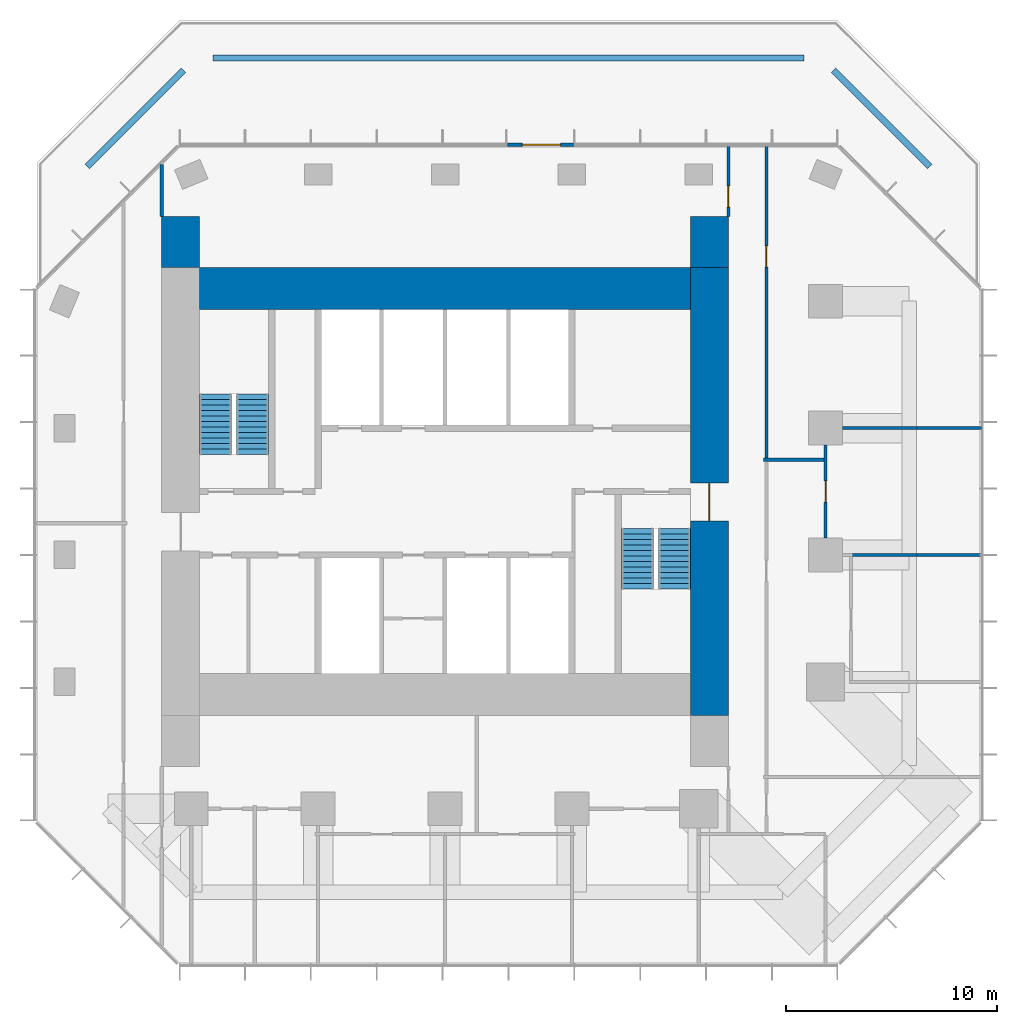
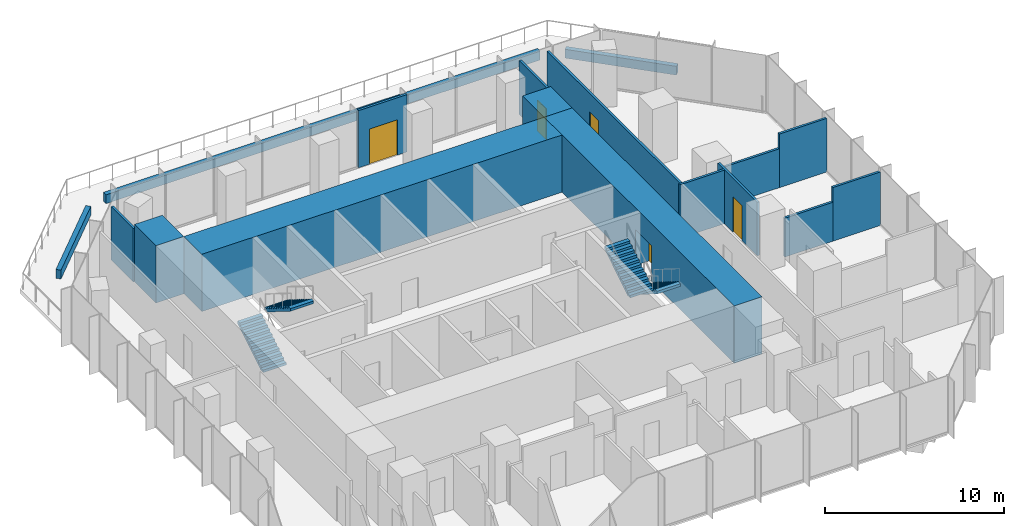
# One storey, part 10 of 11: 17 walls, 5 doors, 4 stair flights, 5 openings, 2 elements without a shape of their own.
"""IFC4 building model written with IfcOpenShell, lengths in metres."""

from ifc_helpers import new_model, si_unit, direction, frame, frame_2d, origin, place, context, subcontext, project, spatial, polyline, rectangle, outline, extrude, material, layer, layer_set, type_object, element, fill, aggregate, save


model = new_model("IFC4")

# Units and contexts
model_context = context("Model", 3, precision=1e-05, world=origin(), true_north=direction((0.0, 1.0)))
body_context = subcontext(model_context, "Body", "Model", "MODEL_VIEW")
ifc_project = project(units=[si_unit("LENGTHUNIT", "METRE"), si_unit("AREAUNIT", "SQUARE_METRE"), si_unit("VOLUMEUNIT", "CUBIC_METRE"), si_unit("PLANEANGLEUNIT", "RADIAN"), si_unit("MASSUNIT", "GRAM", prefix="KILO")], contexts=[model_context])

# Site, building, storey
site_placement = place(None, origin())
site = spatial("IfcSite", under=ifc_project, at=site_placement, CompositionType="ELEMENT")
building_placement = place(site_placement, origin())
building = spatial("IfcBuilding", under=site, at=building_placement, Name="Highveld Stack Headquarters", CompositionType="ELEMENT")
storey_placement = place(building_placement, frame((0.0, 0.0, 268.39990234375)))
storey = spatial("IfcBuildingStorey", under=building, at=storey_placement, Name="L66", CompositionType="ELEMENT", Elevation=268.39990234375)

# Wall, opening, door
ifc_material_1 = material(Name="Concrete C60/75", Category="concrete")
ifc_layer_1 = layer(ifc_material_1, 1.800048828125)
ifc_layer_set_1 = layer_set([ifc_layer_1], Name="Concrete C60/75")
wall_type_1 = type_object("IfcWallType", Name="CORE WALL 1800 C60/75", PredefinedType="SHEAR", material=ifc_layer_set_1)
wall_1_placement = place(storey_placement, frame((18.5, -7.60009765625, 0.0), z_axis=(0.0, 0.0, 1.0), x_axis=(0.0, 1.0, 0.0)))
wall_1 = element("IfcWall", 1, at=wall_1_placement, inside=storey, type_object=wall_type_1, Name="Core wall E L66", PredefinedType="SHEAR", context=body_context, shape_type="SweptSolid", body=[
    extrude(rectangle(XDim=21.2001953125, YDim=1.800048828125, at=frame_2d((10.60009765625, 0.0))), origin(), (0.0, 0.0, 1.0), 3.900146484375),
])
opening_1_placement = place(wall_1_placement, frame((9.199951171875, 0.0, 0.0)))
opening_1 = element("IfcOpeningElement", 2, at=opening_1_placement, cuts=wall_1, Name="Opening L66-03", PredefinedType="OPENING", context=body_context, shape_type="SweptSolid", body=[
    extrude(rectangle(XDim=1.800048828125, YDim=2.39990234375, at=frame_2d((0.89990234375, 1.199951171875))), frame((0.0, 0.909912109375, 0.0), z_axis=(0.0, -1.0, 0.0), x_axis=(1.0, 0.0, 0.0)), (0.0, 0.0, 1.0), 1.820068359375),
])
ifc_material_2 = material(Name="Steel fire door", Category="steel")
door_type_1 = type_object("IfcDoorType", Name="LOBBY FIRE DOOR D4 1800x2400", OperationType="DOUBLE_DOOR_SINGLE_SWING", PredefinedType="DOOR", material=ifc_material_2)
door_1_placement = place(opening_1_placement, origin())
door_1 = element("IfcDoor", 3, at=door_1_placement, inside=storey, type_object=door_type_1, Name="Core east door L66", OperationType="DOUBLE_DOOR_SINGLE_SWING", OverallHeight=2.39990234375, OverallWidth=1.800048828125, PredefinedType="DOOR", context=body_context, shape_type="SweptSolid", body=[
    extrude(rectangle(XDim=1.800048828125, YDim=2.39990234375, at=frame_2d((0.89990234375, 1.199951171875))), frame((0.0, 0.02490234375, 0.0), z_axis=(0.0, -1.0, 0.0), x_axis=(1.0, 0.0, 0.0)), (0.0, 0.0, 1.0), 0.050048828125),
])
fill(opening_1, door_1)

# Walls
ifc_material_3 = material(Name="Concrete C60/75", Category="concrete")
ifc_layer_2 = layer(ifc_material_3, 2.0)
ifc_layer_set_2 = layer_set([ifc_layer_2], Name="Concrete C60/75")
wall_type_2 = type_object("IfcWallType", Name="CORE WALL 2000 C60/75", PredefinedType="SHEAR", material=ifc_layer_set_2)
wall_2_placement = place(storey_placement, frame((-5.60009765625, 12.60009765625, 0.0), z_axis=(0.0, 0.0, 1.0), x_axis=(1.0, 0.0, 0.0)))
element("IfcWall", 4, at=wall_2_placement, inside=storey, type_object=wall_type_2, Name="Core wall N L66", PredefinedType="SHEAR", context=body_context, shape_type="SweptSolid", body=[
    extrude(rectangle(XDim=23.2001953125, YDim=2.0, at=frame_2d((11.60009765625, 0.0))), origin(), (0.0, 0.0, 1.0), 3.900146484375),
])
ifc_material_4 = material(Name="Concrete C60/75", Category="concrete")
ifc_layer_3 = layer(ifc_material_4, 1.800048828125)
ifc_layer_set_3 = layer_set([ifc_layer_3], Name="Concrete C60/75")
wall_type_3 = type_object("IfcWallType", Name="CORE WING WALL 1800 C60/75", PredefinedType="SHEAR", material=ifc_layer_set_3)
for number, where, z_axis, x_axis, name in (
    (5, (-6.5, 13.60009765625, 0.0), (0.0, 0.0, 1.0), (0.0, 1.0, 0.0), "Core wing wall WN L66"),
    (6, (18.5, 13.60009765625, 0.0), (0.0, 0.0, 1.0), (0.0, 1.0, 0.0), "Core wing wall EN L66"),
):
    element("IfcWall", number, at=place(storey_placement, frame(where, z_axis=z_axis, x_axis=x_axis)), inside=storey, type_object=wall_type_3, Name=name, PredefinedType="SHEAR", context=body_context, shape_type="SweptSolid", body=[
        extrude(rectangle(XDim=2.39990234375, YDim=1.800048828125, at=frame_2d((1.199951171875, 0.0))), origin(), (0.0, 0.0, 1.0), 3.900146484375),
    ])

# Wall, opening, door
ifc_material_5 = material(Name="Aluminium framed glazed screen", Category="aluminium")
ifc_layer_4 = layer(ifc_material_5, 0.14990234375)
ifc_layer_set_4 = layer_set([ifc_layer_4], Name="Aluminium framed glazed screen")
wall_type_4 = type_object("IfcWallType", Name="GLAZED DOOR SCREEN 150", PredefinedType="USERDEFINED", material=ifc_layer_set_4)
wall_3_placement = place(storey_placement, frame((12.08349609375, 19.39990234375, 0.0), z_axis=(0.0, 0.0, 1.0), x_axis=(-1.0, 0.0, 0.0)))
wall_3 = element("IfcWall", 7, at=wall_3_placement, inside=storey, type_object=wall_type_4, Name="Glazed door screen L66 N", ObjectType="GLAZED SCREEN", PredefinedType="USERDEFINED", context=body_context, shape_type="SweptSolid", body=[
    extrude(rectangle(XDim=3.1259765625, YDim=0.14990234375, at=frame_2d((1.56298828125, 0.0))), origin(), (0.0, 0.0, 1.0), 3.900146484375),
])
opening_2_placement = place(wall_3_placement, frame((0.62548828125, 0.0, 0.0)))
opening_2 = element("IfcOpeningElement", 8, at=opening_2_placement, cuts=wall_3, Name="Opening L66-01", PredefinedType="OPENING", context=body_context, shape_type="SweptSolid", body=[
    extrude(rectangle(XDim=1.800048828125, YDim=2.39990234375, at=frame_2d((0.89990234375, 1.199951171875))), frame((0.0, 0.0849609375, 0.0), z_axis=(0.0, -1.0, 0.0), x_axis=(1.0, 0.0, 0.0)), (0.0, 0.0, 1.0), 0.169921875),
])
ifc_material_6 = material(Name="Aluminium framed glass door", Category="aluminium")
door_type_2 = type_object("IfcDoorType", Name="TERRACE DOOR D8 1800x2400", OperationType="DOUBLE_DOOR_SINGLE_SWING", PredefinedType="DOOR", material=ifc_material_6)
door_2_placement = place(opening_2_placement, origin())
door_2 = element("IfcDoor", 9, at=door_2_placement, inside=storey, type_object=door_type_2, Name="Terrace door L66 N", OperationType="DOUBLE_DOOR_SINGLE_SWING", OverallHeight=2.39990234375, OverallWidth=1.800048828125, PredefinedType="DOOR", context=body_context, shape_type="SweptSolid", body=[
    extrude(rectangle(XDim=1.800048828125, YDim=2.39990234375, at=frame_2d((0.89990234375, 1.199951171875))), frame((0.0, 0.02490234375, 0.0), z_axis=(0.0, -1.0, 0.0), x_axis=(1.0, 0.0, 0.0)), (0.0, 0.0, 1.0), 0.050048828125),
])
fill(opening_2, door_2)

# Walls
ifc_material_7 = material(Name="Gypsum plasterboard on steel studs", Category="steel")
ifc_layer_5 = layer(ifc_material_7, 0.14990234375)
ifc_layer_set_5 = layer_set([ifc_layer_5], Name="Gypsum plasterboard on steel studs")
wall_type_5 = type_object("IfcWallType", Name="PARTITION 150 PLASTERBOARD", PredefinedType="PARTITIONING", material=ifc_layer_set_5)
wall_4_placement = place(storey_placement, frame((25.199951171875, 0.0, 0.0), z_axis=(0.0, 0.0, 1.0), x_axis=(1.0, 0.0, 0.0)))
element("IfcWall", 10, at=wall_4_placement, inside=storey, type_object=wall_type_5, Name="Partition Assistants office / Executive office L66", PredefinedType="PARTITIONING", context=body_context, shape_type="SweptSolid", body=[
    extrude(rectangle(XDim=3.110107421875, YDim=0.14990234375, at=frame_2d((1.55517578125, 0.0))), origin(), (0.0, 0.0, 1.0), 2.650146484375),
])
wall_5_placement = place(storey_placement, frame((28.31005859375, 0.0, 0.0), z_axis=(0.0, 0.0, 1.0), x_axis=(1.0, 0.0, 0.0)))
element("IfcWall", 11, at=wall_5_placement, inside=storey, type_object=wall_type_5, Name="Partition Assistants office / Executive office L66", PredefinedType="PARTITIONING", context=body_context, shape_type="SweptSolid", body=[
    extrude(rectangle(XDim=3.0400390625, YDim=0.14990234375, at=frame_2d((1.52001953125, 0.0))), origin(), (0.0, 0.0, 1.0), 3.650146484375),
])
wall_6_placement = place(storey_placement, frame((24.800048828125, 6.0, 0.0), z_axis=(0.0, 0.0, 1.0), x_axis=(1.0, 0.0, 0.0)))
element("IfcWall", 12, at=wall_6_placement, inside=storey, type_object=wall_type_5, Name="Partition Executive office L66", PredefinedType="PARTITIONING", context=body_context, shape_type="SweptSolid", body=[
    extrude(rectangle(XDim=3.510009765625, YDim=0.14990234375, at=frame_2d((1.7548828125, 0.0))), origin(), (0.0, 0.0, 1.0), 2.650146484375),
])
wall_7_placement = place(storey_placement, frame((28.31005859375, 6.0, 0.0), z_axis=(0.0, 0.0, 1.0), x_axis=(1.0, 0.0, 0.0)))
element("IfcWall", 13, at=wall_7_placement, inside=storey, type_object=wall_type_5, Name="Partition Executive office L66", PredefinedType="PARTITIONING", context=body_context, shape_type="SweptSolid", body=[
    extrude(rectangle(XDim=3.06494140625, YDim=0.14990234375, at=frame_2d((1.532470703125, 0.0))), origin(), (0.0, 0.0, 1.0), 3.650146484375),
])

# Wall, opening, door
wall_8_placement = place(storey_placement, frame((24.0, 0.800048828125, 0.0), z_axis=(0.0, 0.0, 1.0), x_axis=(0.0, 1.0, 0.0)))
wall_8 = element("IfcWall", 14, at=wall_8_placement, inside=storey, type_object=wall_type_5, Name="Partition Executive office L66", PredefinedType="PARTITIONING", context=body_context, shape_type="SweptSolid", body=[
    extrude(rectangle(XDim=4.39990234375, YDim=0.14990234375, at=frame_2d((2.199951171875, 0.0))), origin(), (0.0, 0.0, 1.0), 3.650146484375),
])
opening_3_placement = place(wall_8_placement, frame((1.699951171875, 0.0, 0.0)))
opening_3 = element("IfcOpeningElement", 15, at=opening_3_placement, cuts=wall_8, Name="Opening L66-20", PredefinedType="OPENING", context=body_context, shape_type="SweptSolid", body=[
    extrude(rectangle(XDim=1.0, YDim=2.39990234375, at=frame_2d((0.5, 1.199951171875))), frame((0.0, 0.0849609375, 0.0), z_axis=(0.0, -1.0, 0.0), x_axis=(1.0, 0.0, 0.0)), (0.0, 0.0, 1.0), 0.169921875),
])
ifc_material_8 = material(Name="Timber door, oiled ash", Category="wood")
door_type_3 = type_object("IfcDoorType", Name="ROOM DOOR D11 1000x2400", OperationType="SINGLE_SWING_LEFT", PredefinedType="DOOR", material=ifc_material_8)
door_3_placement = place(opening_3_placement, origin())
door_3 = element("IfcDoor", 16, at=door_3_placement, inside=storey, type_object=door_type_3, Name="Executive office door 1 L66", OperationType="SINGLE_SWING_LEFT", OverallHeight=2.39990234375, OverallWidth=1.0, PredefinedType="DOOR", context=body_context, shape_type="SweptSolid", body=[
    extrude(rectangle(XDim=1.0, YDim=2.39990234375, at=frame_2d((0.5, 1.199951171875))), frame((0.0, 0.02490234375, 0.0), z_axis=(0.0, -1.0, 0.0), x_axis=(1.0, 0.0, 0.0)), (0.0, 0.0, 1.0), 0.050048828125),
])
fill(opening_3, door_3)

# Wall
wall_9_placement = place(storey_placement, frame((-7.39990234375, 16.0, 0.0), z_axis=(0.0, 0.0, 1.0), x_axis=(0.0, 1.0, 0.0)))
element("IfcWall", 17, at=wall_9_placement, inside=storey, type_object=wall_type_5, Name="Partition office neighbourhood L66", PredefinedType="PARTITIONING", context=body_context, shape_type="SweptSolid", body=[
    extrude(rectangle(XDim=2.464111328125, YDim=0.14990234375, at=frame_2d((1.23193359375, 0.0))), origin(), (0.0, 0.0, 1.0), 3.650146484375),
])

# Wall, opening, door
wall_10_placement = place(storey_placement, frame((19.39990234375, 16.0, 0.0), z_axis=(0.0, 0.0, 1.0), x_axis=(0.0, 1.0, 0.0)))
wall_10 = element("IfcWall", 18, at=wall_10_placement, inside=storey, type_object=wall_type_5, Name="Partition office neighbourhood L66", PredefinedType="PARTITIONING", context=body_context, shape_type="SweptSolid", body=[
    extrude(rectangle(XDim=3.375, YDim=0.14990234375, at=frame_2d((1.6875, 0.0))), origin(), (0.0, 0.0, 1.0), 3.650146484375),
])
opening_4_placement = place(wall_10_placement, frame((0.449951171875, 0.0, 0.0)))
opening_4 = element("IfcOpeningElement", 19, at=opening_4_placement, cuts=wall_10, Name="Opening L66-27", PredefinedType="OPENING", context=body_context, shape_type="SweptSolid", body=[
    extrude(rectangle(XDim=1.0, YDim=2.10009765625, at=frame_2d((0.5, 1.050048828125))), frame((0.0, 0.0849609375, 0.0), z_axis=(0.0, -1.0, 0.0), x_axis=(1.0, 0.0, 0.0)), (0.0, 0.0, 1.0), 0.169921875),
])
ifc_material_9 = material(Name="Timber door, oiled ash", Category="wood")
door_type_4 = type_object("IfcDoorType", Name="ROOM DOOR D6 1000x2100", OperationType="SINGLE_SWING_LEFT", PredefinedType="DOOR", material=ifc_material_9)
door_4_placement = place(opening_4_placement, origin())
door_4 = element("IfcDoor", 20, at=door_4_placement, inside=storey, type_object=door_type_4, Name="Office neighbourhood door L66", OperationType="SINGLE_SWING_LEFT", OverallHeight=2.10009765625, OverallWidth=1.0, PredefinedType="DOOR", context=body_context, shape_type="SweptSolid", body=[
    extrude(rectangle(XDim=1.0, YDim=2.10009765625, at=frame_2d((0.5, 1.050048828125))), frame((0.0, 0.02490234375, 0.0), z_axis=(0.0, -1.0, 0.0), x_axis=(1.0, 0.0, 0.0)), (0.0, 0.0, 1.0), 0.050048828125),
])
fill(opening_4, door_4)

wall_11_placement = place(storey_placement, frame((21.199951171875, 4.574951171875, 0.0), z_axis=(0.0, 0.0, 1.0), x_axis=(0.0, 1.0, 0.0)))
wall_11 = element("IfcWall", 21, at=wall_11_placement, inside=storey, type_object=wall_type_5, Name="Partition office neighbourhood L66", PredefinedType="PARTITIONING", context=body_context, shape_type="SweptSolid", body=[
    extrude(rectangle(XDim=14.800048828125, YDim=0.14990234375, at=frame_2d((7.39990234375, 0.0))), origin(), (0.0, 0.0, 1.0), 3.650146484375),
])
opening_5_placement = place(wall_11_placement, frame((9.044921875, 0.0, 0.0)))
opening_5 = element("IfcOpeningElement", 22, at=opening_5_placement, cuts=wall_11, Name="Opening L66-25", PredefinedType="OPENING", context=body_context, shape_type="SweptSolid", body=[
    extrude(rectangle(XDim=1.0, YDim=2.39990234375, at=frame_2d((0.5, 1.199951171875))), frame((0.0, 0.0849609375, 0.0), z_axis=(0.0, -1.0, 0.0), x_axis=(1.0, 0.0, 0.0)), (0.0, 0.0, 1.0), 0.169921875),
])
door_5_placement = place(opening_5_placement, origin())
door_5 = element("IfcDoor", 23, at=door_5_placement, inside=storey, type_object=door_type_3, Name="Office neighbourhood door L66", OperationType="SINGLE_SWING_RIGHT", OverallHeight=2.39990234375, OverallWidth=1.0, PredefinedType="DOOR", context=body_context, shape_type="SweptSolid", body=[
    extrude(rectangle(XDim=1.0, YDim=2.39990234375, at=frame_2d((0.5, 1.199951171875))), frame((0.0, 0.02490234375, 0.0), z_axis=(0.0, -1.0, 0.0), x_axis=(1.0, 0.0, 0.0)), (0.0, 0.0, 1.0), 0.050048828125),
])
fill(opening_5, door_5)

# Walls
wall_12_placement = place(storey_placement, frame((21.050048828125, 4.5, 0.0), z_axis=(0.0, 0.0, 1.0), x_axis=(1.0, 0.0, 0.0)))
element("IfcWall", 24, at=wall_12_placement, inside=storey, type_object=wall_type_5, Name="Partition office neighbourhood L66", PredefinedType="PARTITIONING", context=body_context, shape_type="SweptSolid", body=[
    extrude(rectangle(XDim=2.875, YDim=0.14990234375, at=frame_2d((1.4375, 0.0))), origin(), (0.0, 0.0, 1.0), 3.650146484375),
])
ifc_material_10 = material(Name="Concrete C40/50, precast planter", Category="concrete")
ifc_layer_6 = layer(ifc_material_10, 0.300048828125)
ifc_layer_set_6 = layer_set([ifc_layer_6], Name="Concrete C40/50, precast planter")
wall_type_6 = type_object("IfcWallType", Name="PLANTER WALL PL1 300", PredefinedType="USERDEFINED", material=ifc_layer_set_6)
wall_13_placement = place(storey_placement, frame((-10.922607421875, 18.370361328125, 0.0), z_axis=(0.0, 0.0, 1.0), x_axis=(0.707106781187, 0.707106781187, 0.0)))
element("IfcWall", 25, at=wall_13_placement, inside=storey, type_object=wall_type_6, Name="Planter L66 1.2", ObjectType="PLANTER", PredefinedType="USERDEFINED", context=body_context, shape_type="SweptSolid", body=[
    extrude(rectangle(XDim=6.437744140625, YDim=0.300048828125, at=frame_2d((3.21875, 0.0))), origin(), (0.0, 0.0, 1.0), 0.60009765625),
])
wall_14_placement = place(storey_placement, frame((-4.976318359375, 23.5, 0.0), z_axis=(0.0, 0.0, 1.0), x_axis=(1.0, 0.0, 0.0)))
element("IfcWall", 26, at=wall_14_placement, inside=storey, type_object=wall_type_6, Name="Planter L66 1.3", ObjectType="PLANTER", PredefinedType="USERDEFINED", context=body_context, shape_type="SweptSolid", body=[
    extrude(rectangle(XDim=27.95263671875, YDim=0.300048828125, at=frame_2d((13.976318359375, 0.0))), origin(), (0.0, 0.0, 1.0), 0.60009765625),
])
wall_15_placement = place(storey_placement, frame((24.370361328125, 22.922607421875, 0.0), z_axis=(0.0, 0.0, 1.0), x_axis=(0.707106781187, -0.707106781187, 0.0)))
element("IfcWall", 27, at=wall_15_placement, inside=storey, type_object=wall_type_6, Name="Planter L66 1.4", ObjectType="PLANTER", PredefinedType="USERDEFINED", context=body_context, shape_type="SweptSolid", body=[
    extrude(rectangle(XDim=6.437744140625, YDim=0.300048828125, at=frame_2d((3.21875, 0.0))), origin(), (0.0, 0.0, 1.0), 0.60009765625),
])

# Stair, stair flights
ifc_material_11 = material(Name="Concrete C40/50, precast", Category="concrete")
stair_type_1 = type_object("IfcStairType", Name="STAIR S1 HALF TURN 1500", PredefinedType="HALF_TURN_STAIR", material=ifc_material_11)
stair_1_placement = place(storey_placement, origin())
stair_1 = element("IfcStair", 28, at=stair_1_placement, inside=storey, type_object=stair_type_1, Name="Stair S1 L66", PredefinedType="HALF_TURN_STAIR")
ifc_material_12 = material(Name="Concrete C40/50, precast", Category="concrete")
stair_flight_type = type_object("IfcStairFlightType", Name="STAIR FLIGHT 1500 PRECAST", PredefinedType="STRAIGHT", material=ifc_material_12)
stair_flight_1_placement = place(storey_placement, frame((-4.85009765625, 4.75, 0.0), z_axis=(0.0, 0.0, 1.0), x_axis=(0.0, 1.0, 0.0)))
stair_flight_1 = element("IfcStairFlight", 29, at=stair_flight_1_placement, type_object=stair_flight_type, Name="S1 flight 1", NumberOfRisers=12, NumberOfTreads=11, PredefinedType="STRAIGHT", RiserHeight=0.1625, TreadLength=0.26, context=body_context, shape_type="SweptSolid", body=[
    extrude(outline(polyline([(0.0, 0.0), (0.0, 0.16259765625), (0.260009765625, 0.16259765625), (0.260009765625, 0.324951171875), (0.52001953125, 0.324951171875), (0.52001953125, 0.487548828125), (0.780029296875, 0.487548828125), (0.780029296875, 0.64990234375), (1.0400390625, 0.64990234375), (1.0400390625, 0.8125), (1.300048828125, 0.8125), (1.300048828125, 0.97509765625), (1.56005859375, 0.97509765625), (1.56005859375, 1.137451171875), (1.820068359375, 1.137451171875), (1.820068359375, 1.300048828125), (2.080078125, 1.300048828125), (2.080078125, 1.46240234375), (2.340087890625, 1.46240234375), (2.340087890625, 1.625), (2.60009765625, 1.625), (2.60009765625, 1.78759765625), (2.860107421875, 1.78759765625), (2.860107421875, 1.949951171875), (2.860107421875, 1.61083984375), (0.28271484375, 0.0), (0.0, 0.0)])), frame((0.0, 0.75, 0.0), z_axis=(0.0, -1.0, 0.0), x_axis=(1.0, 0.0, 0.0)), (0.0, 0.0, 1.0), 1.5),
])
stair_flight_2_placement = place(storey_placement, frame((-3.10009765625, 7.610107421875, 1.9501953125), z_axis=(0.0, 0.0, 1.0), x_axis=(0.0, -1.0, 0.0)))
stair_flight_2 = element("IfcStairFlight", 30, at=stair_flight_2_placement, type_object=stair_flight_type, Name="S1 flight 2", NumberOfRisers=12, NumberOfTreads=11, PredefinedType="STRAIGHT", RiserHeight=0.1625, TreadLength=0.26, context=body_context, shape_type="SweptSolid", body=[
    extrude(outline(polyline([(0.0, 0.0), (0.0, 0.16259765625), (0.260009765625, 0.16259765625), (0.260009765625, 0.324951171875), (0.52001953125, 0.324951171875), (0.52001953125, 0.487548828125), (0.780029296875, 0.487548828125), (0.780029296875, 0.64990234375), (1.0400390625, 0.64990234375), (1.0400390625, 0.8125), (1.300048828125, 0.8125), (1.300048828125, 0.97509765625), (1.56005859375, 0.97509765625), (1.56005859375, 1.137451171875), (1.820068359375, 1.137451171875), (1.820068359375, 1.300048828125), (2.080078125, 1.300048828125), (2.080078125, 1.46240234375), (2.340087890625, 1.46240234375), (2.340087890625, 1.625), (2.60009765625, 1.625), (2.60009765625, 1.78759765625), (2.860107421875, 1.78759765625), (2.860107421875, 1.949951171875), (2.860107421875, 1.61083984375), (0.28271484375, 0.0), (0.0, 0.0)])), frame((0.0, 0.75, 0.0), z_axis=(0.0, -1.0, 0.0), x_axis=(1.0, 0.0, 0.0)), (0.0, 0.0, 1.0), 1.5),
])
aggregate(stair_1, [stair_flight_1, stair_flight_2])

ifc_material_13 = material(Name="Concrete C40/50, precast", Category="concrete")
stair_type_2 = type_object("IfcStairType", Name="STAIR S2 HALF TURN 1500", PredefinedType="HALF_TURN_STAIR", material=ifc_material_13)
stair_2_placement = place(storey_placement, origin())
stair_2 = element("IfcStair", 31, at=stair_2_placement, inside=storey, type_object=stair_type_2, Name="Stair S2 L66", PredefinedType="HALF_TURN_STAIR")
stair_flight_3_placement = place(storey_placement, frame((16.85009765625, 1.25, 0.0), z_axis=(0.0, 0.0, 1.0), x_axis=(0.0, -1.0, 0.0)))
stair_flight_3 = element("IfcStairFlight", 32, at=stair_flight_3_placement, type_object=stair_flight_type, Name="S2 flight 1", NumberOfRisers=12, NumberOfTreads=11, PredefinedType="STRAIGHT", RiserHeight=0.1625, TreadLength=0.26, context=body_context, shape_type="SweptSolid", body=[
    extrude(outline(polyline([(0.0, 0.0), (0.0, 0.16259765625), (0.260009765625, 0.16259765625), (0.260009765625, 0.324951171875), (0.52001953125, 0.324951171875), (0.52001953125, 0.487548828125), (0.780029296875, 0.487548828125), (0.780029296875, 0.64990234375), (1.0400390625, 0.64990234375), (1.0400390625, 0.8125), (1.300048828125, 0.8125), (1.300048828125, 0.97509765625), (1.56005859375, 0.97509765625), (1.56005859375, 1.137451171875), (1.820068359375, 1.137451171875), (1.820068359375, 1.300048828125), (2.080078125, 1.300048828125), (2.080078125, 1.46240234375), (2.340087890625, 1.46240234375), (2.340087890625, 1.625), (2.60009765625, 1.625), (2.60009765625, 1.78759765625), (2.860107421875, 1.78759765625), (2.860107421875, 1.949951171875), (2.860107421875, 1.61083984375), (0.28271484375, 0.0), (0.0, 0.0)])), frame((0.0, 0.75, 0.0), z_axis=(0.0, -1.0, 0.0), x_axis=(1.0, 0.0, 0.0)), (0.0, 0.0, 1.0), 1.5),
])
stair_flight_4_placement = place(storey_placement, frame((15.10009765625, -1.610107421875, 1.9501953125), z_axis=(0.0, 0.0, 1.0), x_axis=(0.0, 1.0, 0.0)))
stair_flight_4 = element("IfcStairFlight", 33, at=stair_flight_4_placement, type_object=stair_flight_type, Name="S2 flight 2", NumberOfRisers=12, NumberOfTreads=11, PredefinedType="STRAIGHT", RiserHeight=0.1625, TreadLength=0.26, context=body_context, shape_type="SweptSolid", body=[
    extrude(outline(polyline([(0.0, 0.0), (0.0, 0.16259765625), (0.260009765625, 0.16259765625), (0.260009765625, 0.324951171875), (0.52001953125, 0.324951171875), (0.52001953125, 0.487548828125), (0.780029296875, 0.487548828125), (0.780029296875, 0.64990234375), (1.0400390625, 0.64990234375), (1.0400390625, 0.8125), (1.300048828125, 0.8125), (1.300048828125, 0.97509765625), (1.56005859375, 0.97509765625), (1.56005859375, 1.137451171875), (1.820068359375, 1.137451171875), (1.820068359375, 1.300048828125), (2.080078125, 1.300048828125), (2.080078125, 1.46240234375), (2.340087890625, 1.46240234375), (2.340087890625, 1.625), (2.60009765625, 1.625), (2.60009765625, 1.78759765625), (2.860107421875, 1.78759765625), (2.860107421875, 1.949951171875), (2.860107421875, 1.61083984375), (0.28271484375, 0.0), (0.0, 0.0)])), frame((0.0, 0.75, 0.0), z_axis=(0.0, -1.0, 0.0), x_axis=(1.0, 0.0, 0.0)), (0.0, 0.0, 1.0), 1.5),
])
aggregate(stair_2, [stair_flight_3, stair_flight_4])

save(model, "model.ifc")
